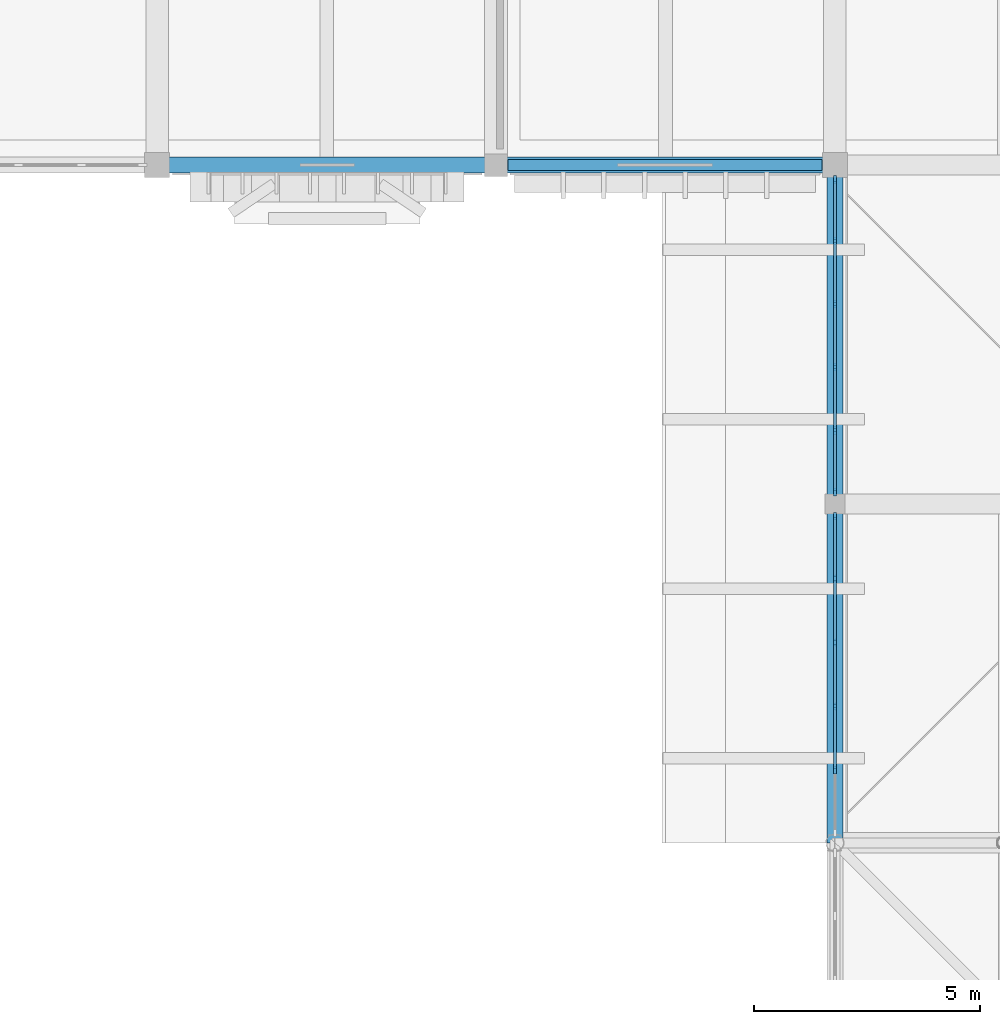
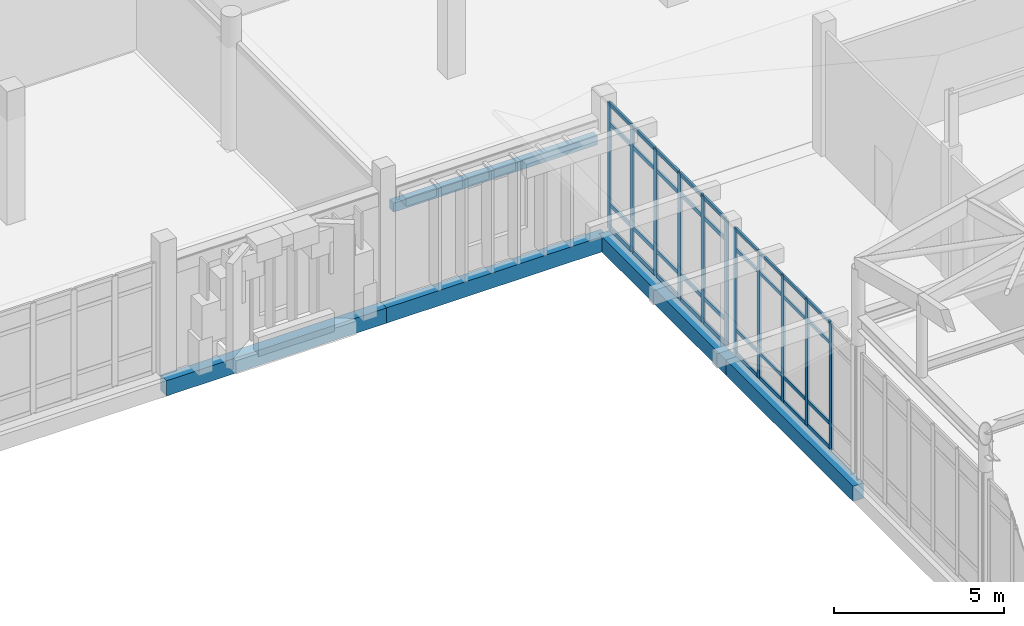
# One storey, part 54 of 131: 47 members, 5 beams, 2 elements without a shape of their own.
"""IFC4 building model written with IfcOpenShell, lengths in metres."""

from ifc_helpers import new_model, si_unit, direction, frame, origin, origin_2d, place, context, subcontext, project, spatial, rectangle, extrude, material, layer, layer_set, material_profile, profile_set, type_object, element, aggregate, save


model = new_model("IFC4")

# Units and contexts
model_context = context("Model", 3, precision=1e-05, world=origin(), true_north=direction((0.0, 1.0)))
body_context = subcontext(model_context, "Body", "Model", "MODEL_VIEW")
ifc_project = project(units=[si_unit("LENGTHUNIT", "METRE"), si_unit("AREAUNIT", "SQUARE_METRE"), si_unit("VOLUMEUNIT", "CUBIC_METRE"), si_unit("PLANEANGLEUNIT", "RADIAN"), si_unit("MASSUNIT", "GRAM", prefix="KILO")], contexts=[model_context])

# Site, building, storey
site_placement = place(None, origin())
site = spatial("IfcSite", under=ifc_project, at=site_placement, CompositionType="ELEMENT")
building_placement = place(site_placement, origin())
building = spatial("IfcBuilding", under=site, at=building_placement, Name="Dalvernix Boulevard General Hospital", CompositionType="ELEMENT")
storey_placement = place(building_placement, frame((0.0, 0.0, 9.300048828125)))
storey = spatial("IfcBuildingStorey", under=building, at=storey_placement, Name="L02", CompositionType="ELEMENT", Elevation=9.300048828125)

# Beams
ifc_material_1 = material(Name="Precast concrete C40/50", Category="concrete")
ifc_material_profile_1 = material_profile(ifc_material_1, rectangle(XDim=0.25, YDim=0.320068359375, at=origin_2d()), Name="RCL 250x320")
ifc_profile_set_1 = profile_set([ifc_material_profile_1], Name="Precast concrete C40/50")
beam_type_1 = type_object("IfcBeamType", Name="BM-LB-01", PredefinedType="LINTEL", material=ifc_profile_set_1)
beam_placement = place(storey_placement, frame((59.715087890625, 76.5, 3.159912109375), z_axis=(-1.0, 0.0, 0.0), x_axis=(0.0, -1.0, 0.0)))
element("IfcBeam", 1, at=beam_placement, inside=storey, type_object=beam_type_1, Name="L02 precast window lintel S 7-10", PredefinedType="LINTEL", context=body_context, shape_type="SweptSolid", body=[
    extrude(rectangle(XDim=0.25, YDim=0.320068359375, at=origin_2d()), origin(), (0.0, 0.0, 1.0), 6.955078125),
])
ifc_material_2 = material(Name="Concrete C35/45", Category="concrete")
ifc_material_profile_2 = material_profile(ifc_material_2, rectangle(XDim=0.35009765625, YDim=0.550048828125, at=origin_2d()), Name="RCB 350x550")
ifc_profile_set_2 = profile_set([ifc_material_profile_2], Name="Concrete C35/45")
beam_type_2 = type_object("IfcBeamType", Name="BM-SB-01-E", PredefinedType="SPANDREL", material=ifc_profile_set_2)
for number, where, z_axis, x_axis, name in (
    (2, (45.0, 76.5, -0.594970703125), (1.0, 0.0, 0.0), (0.0, 1.0, 0.0), "L02 E-W girder L:7-8"),
    (3, (52.5, 76.5, -0.594970703125), (1.0, 0.0, 0.0), (0.0, 1.0, 0.0), "L02 E-W girder L:8-9"),
    (4, (60.0, 61.5, -0.594970703125), (0.0, 1.0, 0.0), (-1.0, 0.0, 0.0), "L02 N-S girder 9:J-K"),
    (5, (60.0, 69.0, -0.594970703125), (0.0, 1.0, 0.0), (-1.0, 0.0, 0.0), "L02 N-S girder 9:K-L"),
):
    element("IfcBeam", number, at=place(storey_placement, frame(where, z_axis=z_axis, x_axis=x_axis)), inside=storey, type_object=beam_type_2, Name=name, PredefinedType="SPANDREL", context=body_context, shape_type="SweptSolid", body=[
        extrude(rectangle(XDim=0.35009765625, YDim=0.550048828125, at=origin_2d()), origin(), (0.0, 0.0, 1.0), 7.5),
    ])

# Curtain wall, members
ifc_material_3 = material(Name="Thermally broken aluminium and solar-control glass curtain wall", Category="aluminium")
ifc_layer_1 = layer(ifc_material_3, 0.159912109375)
ifc_layer_set_1 = layer_set([ifc_layer_1], Name="Thermally broken aluminium and solar-control glass curtain wall (CW-CW-A-71x46)")
curtain_wall_type_1 = type_object("IfcCurtainWallType", Name="CW-CW-A-71x46", PredefinedType="USERDEFINED", material=ifc_layer_set_1)
curtain_wall_1_placement = place(storey_placement, origin())
curtain_wall_1 = element("IfcCurtainWall", 6, at=curtain_wall_1_placement, inside=storey, type_object=curtain_wall_type_1, Name="L02 curtain wall CW-A-71x46 8-8", ObjectType="GLAZED FACADE", PredefinedType="USERDEFINED")
ifc_material_4 = material(Name="Aluminium EN AW-6060", Category="aluminium")
ifc_material_profile_3 = material_profile(ifc_material_4, rectangle(XDim=0.06005859375, YDim=0.159912109375, at=origin_2d()), Name="ALU MULL 60x160")
ifc_profile_set_3 = profile_set([ifc_material_profile_3], Name="Aluminium EN AW-6060")
member_type_1 = type_object("IfcMemberType", Name="MEM-CW-M1", PredefinedType="MULLION", material=ifc_profile_set_3)
member_1_placement = place(storey_placement, frame((60.0, 63.10498046875, 0.0), z_axis=(0.0, 0.0, 1.0), x_axis=(-1.0, 0.0, 0.0)))
member_1 = element("IfcMember", 7, at=member_1_placement, type_object=member_type_1, Name="CW-A-71x46 mullion 2", PredefinedType="MULLION", context=body_context, shape_type="SweptSolid", body=[
    extrude(rectangle(XDim=0.06005859375, YDim=0.159912109375, at=origin_2d()), origin(), (0.0, 0.0, 1.0), 4.550048828125),
])
member_2_placement = place(storey_placement, frame((60.0, 64.52001953125, 0.0), z_axis=(0.0, 0.0, 1.0), x_axis=(-1.0, 0.0, 0.0)))
member_2 = element("IfcMember", 8, at=member_2_placement, type_object=member_type_1, Name="CW-A-71x46 mullion 3", PredefinedType="MULLION", context=body_context, shape_type="SweptSolid", body=[
    extrude(rectangle(XDim=0.06005859375, YDim=0.159912109375, at=origin_2d()), origin(), (0.0, 0.0, 1.0), 4.550048828125),
])
member_3_placement = place(storey_placement, frame((60.0, 65.93505859375, 0.0), z_axis=(0.0, 0.0, 1.0), x_axis=(-1.0, 0.0, 0.0)))
member_3 = element("IfcMember", 9, at=member_3_placement, type_object=member_type_1, Name="CW-A-71x46 mullion 4", PredefinedType="MULLION", context=body_context, shape_type="SweptSolid", body=[
    extrude(rectangle(XDim=0.06005859375, YDim=0.159912109375, at=origin_2d()), origin(), (0.0, 0.0, 1.0), 4.550048828125),
])
member_4_placement = place(storey_placement, frame((60.0, 67.35009765625, 0.0), z_axis=(0.0, 0.0, 1.0), x_axis=(-1.0, 0.0, 0.0)))
member_4 = element("IfcMember", 10, at=member_4_placement, type_object=member_type_1, Name="CW-A-71x46 mullion 5", PredefinedType="MULLION", context=body_context, shape_type="SweptSolid", body=[
    extrude(rectangle(XDim=0.06005859375, YDim=0.159912109375, at=origin_2d()), origin(), (0.0, 0.0, 1.0), 4.550048828125),
])
member_5_placement = place(storey_placement, frame((60.0, 68.735107421875, 0.0), z_axis=(0.0, 0.0, 1.0), x_axis=(-1.0, 0.0, 0.0)))
member_5 = element("IfcMember", 11, at=member_5_placement, type_object=member_type_1, Name="CW-A-71x46 mullion 6", PredefinedType="MULLION", context=body_context, shape_type="SweptSolid", body=[
    extrude(rectangle(XDim=0.06005859375, YDim=0.159912109375, at=origin_2d()), origin(), (0.0, 0.0, 1.0), 4.550048828125),
])

ifc_layer_2 = layer(ifc_material_3, 0.179931640625)
ifc_layer_set_2 = layer_set([ifc_layer_2], Name="Thermally broken aluminium and solar-control glass curtain wall (CW-CW-B-70x46)")
curtain_wall_type_2 = type_object("IfcCurtainWallType", Name="CW-CW-B-70x46", PredefinedType="USERDEFINED", material=ifc_layer_set_2)
curtain_wall_2_placement = place(storey_placement, origin())
curtain_wall_2 = element("IfcCurtainWall", 12, at=curtain_wall_2_placement, inside=storey, type_object=curtain_wall_type_2, Name="L02 curtain wall CW-B-70x46 8-9", ObjectType="GLAZED FACADE", PredefinedType="USERDEFINED")
ifc_material_profile_4 = material_profile(ifc_material_4, rectangle(XDim=0.06494140625, YDim=0.179931640625, at=origin_2d()), Name="ALU MULL 65x180")
ifc_profile_set_4 = profile_set([ifc_material_profile_4], Name="Aluminium EN AW-6060")
member_type_2 = type_object("IfcMemberType", Name="MEM-CW-M2", PredefinedType="MULLION", material=ifc_profile_set_4)
member_6_placement = place(storey_placement, frame((60.0, 69.267578125, 0.0), z_axis=(0.0, 0.0, 1.0), x_axis=(-1.0, 0.0, 0.0)))
member_6 = element("IfcMember", 13, at=member_6_placement, type_object=member_type_2, Name="CW-B-70x46 mullion 1", PredefinedType="MULLION", context=body_context, shape_type="SweptSolid", body=[
    extrude(rectangle(XDim=0.06494140625, YDim=0.179931640625, at=origin_2d()), origin(), (0.0, 0.0, 1.0), 4.550048828125),
])
member_7_placement = place(storey_placement, frame((60.0, 70.631103515625, 0.0), z_axis=(0.0, 0.0, 1.0), x_axis=(-1.0, 0.0, 0.0)))
member_7 = element("IfcMember", 14, at=member_7_placement, type_object=member_type_2, Name="CW-B-70x46 mullion 2", PredefinedType="MULLION", context=body_context, shape_type="SweptSolid", body=[
    extrude(rectangle(XDim=0.06494140625, YDim=0.179931640625, at=origin_2d()), origin(), (0.0, 0.0, 1.0), 4.550048828125),
])
member_8_placement = place(storey_placement, frame((60.0, 72.027099609375, 0.0), z_axis=(0.0, 0.0, 1.0), x_axis=(-1.0, 0.0, 0.0)))
member_8 = element("IfcMember", 15, at=member_8_placement, type_object=member_type_2, Name="CW-B-70x46 mullion 3", PredefinedType="MULLION", context=body_context, shape_type="SweptSolid", body=[
    extrude(rectangle(XDim=0.06494140625, YDim=0.179931640625, at=origin_2d()), origin(), (0.0, 0.0, 1.0), 4.550048828125),
])
member_9_placement = place(storey_placement, frame((60.0, 73.423095703125, 0.0), z_axis=(0.0, 0.0, 1.0), x_axis=(-1.0, 0.0, 0.0)))
member_9 = element("IfcMember", 16, at=member_9_placement, type_object=member_type_2, Name="CW-B-70x46 mullion 4", PredefinedType="MULLION", context=body_context, shape_type="SweptSolid", body=[
    extrude(rectangle(XDim=0.06494140625, YDim=0.179931640625, at=origin_2d()), origin(), (0.0, 0.0, 1.0), 4.550048828125),
])
member_10_placement = place(storey_placement, frame((60.0, 74.819091796875, 0.0), z_axis=(0.0, 0.0, 1.0), x_axis=(-1.0, 0.0, 0.0)))
member_10 = element("IfcMember", 17, at=member_10_placement, type_object=member_type_2, Name="CW-B-70x46 mullion 5", PredefinedType="MULLION", context=body_context, shape_type="SweptSolid", body=[
    extrude(rectangle(XDim=0.06494140625, YDim=0.179931640625, at=origin_2d()), origin(), (0.0, 0.0, 1.0), 4.550048828125),
])
member_11_placement = place(storey_placement, frame((60.0, 76.1826171875, 0.0), z_axis=(0.0, 0.0, 1.0), x_axis=(-1.0, 0.0, 0.0)))
member_11 = element("IfcMember", 18, at=member_11_placement, type_object=member_type_2, Name="CW-B-70x46 mullion 6", PredefinedType="MULLION", context=body_context, shape_type="SweptSolid", body=[
    extrude(rectangle(XDim=0.06494140625, YDim=0.179931640625, at=origin_2d()), origin(), (0.0, 0.0, 1.0), 4.550048828125),
])

# Member
ifc_material_profile_5 = material_profile(ifc_material_4, rectangle(XDim=0.06005859375, YDim=0.1201171875, at=origin_2d()), Name="ALU TRAN 60x120")
ifc_profile_set_5 = profile_set([ifc_material_profile_5], Name="Aluminium EN AW-6060")
member_type_3 = type_object("IfcMemberType", Name="MEM-CW-T1", PredefinedType="USERDEFINED", material=ifc_profile_set_5)
member_12_placement = place(storey_placement, frame((60.0, 63.135009765625, 0.030029296875), z_axis=(0.0, 1.0, 0.0), x_axis=(-1.0, 0.0, 0.0)))
member_12 = element("IfcMember", 19, at=member_12_placement, type_object=member_type_3, Name="CW-A-71x46 transom 2.1", ObjectType="TRANSOM", PredefinedType="USERDEFINED", context=body_context, shape_type="SweptSolid", body=[
    extrude(rectangle(XDim=0.06005859375, YDim=0.1201171875, at=origin_2d()), origin(), (0.0, 0.0, 1.0), 1.35498046875),
])

member_13_placement = place(storey_placement, frame((60.0, 63.135009765625, 0.89990234375), z_axis=(0.0, 1.0, 0.0), x_axis=(-1.0, 0.0, 0.0)))
member_13 = element("IfcMember", 20, at=member_13_placement, type_object=member_type_3, Name="CW-A-71x46 transom 2.2", ObjectType="TRANSOM", PredefinedType="USERDEFINED", context=body_context, shape_type="SweptSolid", body=[
    extrude(rectangle(XDim=0.06005859375, YDim=0.1201171875, at=origin_2d()), origin(), (0.0, 0.0, 1.0), 1.35498046875),
])

member_14_placement = place(storey_placement, frame((60.0, 63.135009765625, 3.800048828125), z_axis=(0.0, 1.0, 0.0), x_axis=(-1.0, 0.0, 0.0)))
member_14 = element("IfcMember", 21, at=member_14_placement, type_object=member_type_3, Name="CW-A-71x46 transom 2.3", ObjectType="TRANSOM", PredefinedType="USERDEFINED", context=body_context, shape_type="SweptSolid", body=[
    extrude(rectangle(XDim=0.06005859375, YDim=0.1201171875, at=origin_2d()), origin(), (0.0, 0.0, 1.0), 1.35498046875),
])

member_15_placement = place(storey_placement, frame((60.0, 63.135009765625, 4.52001953125), z_axis=(0.0, 1.0, 0.0), x_axis=(-1.0, 0.0, 0.0)))
member_15 = element("IfcMember", 22, at=member_15_placement, type_object=member_type_3, Name="CW-A-71x46 transom 2.4", ObjectType="TRANSOM", PredefinedType="USERDEFINED", context=body_context, shape_type="SweptSolid", body=[
    extrude(rectangle(XDim=0.06005859375, YDim=0.1201171875, at=origin_2d()), origin(), (0.0, 0.0, 1.0), 1.35498046875),
])

member_16_placement = place(storey_placement, frame((60.0, 64.550048828125, 0.030029296875), z_axis=(0.0, 1.0, 0.0), x_axis=(-1.0, 0.0, 0.0)))
member_16 = element("IfcMember", 23, at=member_16_placement, type_object=member_type_3, Name="CW-A-71x46 transom 3.1", ObjectType="TRANSOM", PredefinedType="USERDEFINED", context=body_context, shape_type="SweptSolid", body=[
    extrude(rectangle(XDim=0.06005859375, YDim=0.1201171875, at=origin_2d()), origin(), (0.0, 0.0, 1.0), 1.35498046875),
])

member_17_placement = place(storey_placement, frame((60.0, 64.550048828125, 0.89990234375), z_axis=(0.0, 1.0, 0.0), x_axis=(-1.0, 0.0, 0.0)))
member_17 = element("IfcMember", 24, at=member_17_placement, type_object=member_type_3, Name="CW-A-71x46 transom 3.2", ObjectType="TRANSOM", PredefinedType="USERDEFINED", context=body_context, shape_type="SweptSolid", body=[
    extrude(rectangle(XDim=0.06005859375, YDim=0.1201171875, at=origin_2d()), origin(), (0.0, 0.0, 1.0), 1.35498046875),
])

member_18_placement = place(storey_placement, frame((60.0, 64.550048828125, 3.800048828125), z_axis=(0.0, 1.0, 0.0), x_axis=(-1.0, 0.0, 0.0)))
member_18 = element("IfcMember", 25, at=member_18_placement, type_object=member_type_3, Name="CW-A-71x46 transom 3.3", ObjectType="TRANSOM", PredefinedType="USERDEFINED", context=body_context, shape_type="SweptSolid", body=[
    extrude(rectangle(XDim=0.06005859375, YDim=0.1201171875, at=origin_2d()), origin(), (0.0, 0.0, 1.0), 1.35498046875),
])

member_19_placement = place(storey_placement, frame((60.0, 64.550048828125, 4.52001953125), z_axis=(0.0, 1.0, 0.0), x_axis=(-1.0, 0.0, 0.0)))
member_19 = element("IfcMember", 26, at=member_19_placement, type_object=member_type_3, Name="CW-A-71x46 transom 3.4", ObjectType="TRANSOM", PredefinedType="USERDEFINED", context=body_context, shape_type="SweptSolid", body=[
    extrude(rectangle(XDim=0.06005859375, YDim=0.1201171875, at=origin_2d()), origin(), (0.0, 0.0, 1.0), 1.35498046875),
])

member_20_placement = place(storey_placement, frame((60.0, 65.965087890625, 0.030029296875), z_axis=(0.0, 1.0, 0.0), x_axis=(-1.0, 0.0, 0.0)))
member_20 = element("IfcMember", 27, at=member_20_placement, type_object=member_type_3, Name="CW-A-71x46 transom 4.1", ObjectType="TRANSOM", PredefinedType="USERDEFINED", context=body_context, shape_type="SweptSolid", body=[
    extrude(rectangle(XDim=0.06005859375, YDim=0.1201171875, at=origin_2d()), origin(), (0.0, 0.0, 1.0), 1.35498046875),
])

member_21_placement = place(storey_placement, frame((60.0, 65.965087890625, 0.89990234375), z_axis=(0.0, 1.0, 0.0), x_axis=(-1.0, 0.0, 0.0)))
member_21 = element("IfcMember", 28, at=member_21_placement, type_object=member_type_3, Name="CW-A-71x46 transom 4.2", ObjectType="TRANSOM", PredefinedType="USERDEFINED", context=body_context, shape_type="SweptSolid", body=[
    extrude(rectangle(XDim=0.06005859375, YDim=0.1201171875, at=origin_2d()), origin(), (0.0, 0.0, 1.0), 1.35498046875),
])

member_22_placement = place(storey_placement, frame((60.0, 65.965087890625, 3.800048828125), z_axis=(0.0, 1.0, 0.0), x_axis=(-1.0, 0.0, 0.0)))
member_22 = element("IfcMember", 29, at=member_22_placement, type_object=member_type_3, Name="CW-A-71x46 transom 4.3", ObjectType="TRANSOM", PredefinedType="USERDEFINED", context=body_context, shape_type="SweptSolid", body=[
    extrude(rectangle(XDim=0.06005859375, YDim=0.1201171875, at=origin_2d()), origin(), (0.0, 0.0, 1.0), 1.35498046875),
])

member_23_placement = place(storey_placement, frame((60.0, 65.965087890625, 4.52001953125), z_axis=(0.0, 1.0, 0.0), x_axis=(-1.0, 0.0, 0.0)))
member_23 = element("IfcMember", 30, at=member_23_placement, type_object=member_type_3, Name="CW-A-71x46 transom 4.4", ObjectType="TRANSOM", PredefinedType="USERDEFINED", context=body_context, shape_type="SweptSolid", body=[
    extrude(rectangle(XDim=0.06005859375, YDim=0.1201171875, at=origin_2d()), origin(), (0.0, 0.0, 1.0), 1.35498046875),
])

member_24_placement = place(storey_placement, frame((60.0, 67.3798828125, 0.030029296875), z_axis=(0.0, 1.0, 0.0), x_axis=(-1.0, 0.0, 0.0)))
member_24 = element("IfcMember", 31, at=member_24_placement, type_object=member_type_3, Name="CW-A-71x46 transom 5.1", ObjectType="TRANSOM", PredefinedType="USERDEFINED", context=body_context, shape_type="SweptSolid", body=[
    extrude(rectangle(XDim=0.06005859375, YDim=0.1201171875, at=origin_2d()), origin(), (0.0, 0.0, 1.0), 1.3251953125),
])

member_25_placement = place(storey_placement, frame((60.0, 67.3798828125, 0.89990234375), z_axis=(0.0, 1.0, 0.0), x_axis=(-1.0, 0.0, 0.0)))
member_25 = element("IfcMember", 32, at=member_25_placement, type_object=member_type_3, Name="CW-A-71x46 transom 5.2", ObjectType="TRANSOM", PredefinedType="USERDEFINED", context=body_context, shape_type="SweptSolid", body=[
    extrude(rectangle(XDim=0.06005859375, YDim=0.1201171875, at=origin_2d()), origin(), (0.0, 0.0, 1.0), 1.3251953125),
])

member_26_placement = place(storey_placement, frame((60.0, 67.3798828125, 3.800048828125), z_axis=(0.0, 1.0, 0.0), x_axis=(-1.0, 0.0, 0.0)))
member_26 = element("IfcMember", 33, at=member_26_placement, type_object=member_type_3, Name="CW-A-71x46 transom 5.3", ObjectType="TRANSOM", PredefinedType="USERDEFINED", context=body_context, shape_type="SweptSolid", body=[
    extrude(rectangle(XDim=0.06005859375, YDim=0.1201171875, at=origin_2d()), origin(), (0.0, 0.0, 1.0), 1.3251953125),
])

member_27_placement = place(storey_placement, frame((60.0, 67.3798828125, 4.52001953125), z_axis=(0.0, 1.0, 0.0), x_axis=(-1.0, 0.0, 0.0)))
member_27 = element("IfcMember", 34, at=member_27_placement, type_object=member_type_3, Name="CW-A-71x46 transom 5.4", ObjectType="TRANSOM", PredefinedType="USERDEFINED", context=body_context, shape_type="SweptSolid", body=[
    extrude(rectangle(XDim=0.06005859375, YDim=0.1201171875, at=origin_2d()), origin(), (0.0, 0.0, 1.0), 1.3251953125),
])

aggregate(curtain_wall_1, [member_1, member_2, member_3, member_4, member_5, member_12, member_13, member_14, member_15, member_16, member_17, member_18, member_19, member_20, member_21, member_22, member_23, member_24, member_25, member_26, member_27])

ifc_material_profile_6 = material_profile(ifc_material_4, rectangle(XDim=0.06494140625, YDim=0.139892578125, at=origin_2d()), Name="ALU TRAN 65x140")
ifc_profile_set_6 = profile_set([ifc_material_profile_6], Name="Aluminium EN AW-6060")
member_type_4 = type_object("IfcMemberType", Name="MEM-CW-T2", PredefinedType="USERDEFINED", material=ifc_profile_set_6)
member_28_placement = place(storey_placement, frame((60.0, 69.300048828125, 0.032470703125), z_axis=(0.0, 1.0, 0.0), x_axis=(-1.0, 0.0, 0.0)))
member_28 = element("IfcMember", 35, at=member_28_placement, type_object=member_type_4, Name="CW-B-70x46 transom 1.1", ObjectType="TRANSOM", PredefinedType="USERDEFINED", context=body_context, shape_type="SweptSolid", body=[
    extrude(rectangle(XDim=0.06494140625, YDim=0.139892578125, at=origin_2d()), origin(), (0.0, 0.0, 1.0), 1.29833984375),
])

member_29_placement = place(storey_placement, frame((60.0, 69.300048828125, 0.89990234375), z_axis=(0.0, 1.0, 0.0), x_axis=(-1.0, 0.0, 0.0)))
member_29 = element("IfcMember", 36, at=member_29_placement, type_object=member_type_4, Name="CW-B-70x46 transom 1.2", ObjectType="TRANSOM", PredefinedType="USERDEFINED", context=body_context, shape_type="SweptSolid", body=[
    extrude(rectangle(XDim=0.06494140625, YDim=0.139892578125, at=origin_2d()), origin(), (0.0, 0.0, 1.0), 1.29833984375),
])

member_30_placement = place(storey_placement, frame((60.0, 69.300048828125, 3.800048828125), z_axis=(0.0, 1.0, 0.0), x_axis=(-1.0, 0.0, 0.0)))
member_30 = element("IfcMember", 37, at=member_30_placement, type_object=member_type_4, Name="CW-B-70x46 transom 1.3", ObjectType="TRANSOM", PredefinedType="USERDEFINED", context=body_context, shape_type="SweptSolid", body=[
    extrude(rectangle(XDim=0.06494140625, YDim=0.139892578125, at=origin_2d()), origin(), (0.0, 0.0, 1.0), 1.29833984375),
])

member_31_placement = place(storey_placement, frame((60.0, 69.300048828125, 4.517333984375), z_axis=(0.0, 1.0, 0.0), x_axis=(-1.0, 0.0, 0.0)))
member_31 = element("IfcMember", 38, at=member_31_placement, type_object=member_type_4, Name="CW-B-70x46 transom 1.4", ObjectType="TRANSOM", PredefinedType="USERDEFINED", context=body_context, shape_type="SweptSolid", body=[
    extrude(rectangle(XDim=0.06494140625, YDim=0.139892578125, at=origin_2d()), origin(), (0.0, 0.0, 1.0), 1.29833984375),
])

member_32_placement = place(storey_placement, frame((60.0, 70.66357421875, 0.032470703125), z_axis=(0.0, 1.0, 0.0), x_axis=(-1.0, 0.0, 0.0)))
member_32 = element("IfcMember", 39, at=member_32_placement, type_object=member_type_4, Name="CW-B-70x46 transom 2.1", ObjectType="TRANSOM", PredefinedType="USERDEFINED", context=body_context, shape_type="SweptSolid", body=[
    extrude(rectangle(XDim=0.06494140625, YDim=0.139892578125, at=origin_2d()), origin(), (0.0, 0.0, 1.0), 1.330810546875),
])

member_33_placement = place(storey_placement, frame((60.0, 70.66357421875, 0.89990234375), z_axis=(0.0, 1.0, 0.0), x_axis=(-1.0, 0.0, 0.0)))
member_33 = element("IfcMember", 40, at=member_33_placement, type_object=member_type_4, Name="CW-B-70x46 transom 2.2", ObjectType="TRANSOM", PredefinedType="USERDEFINED", context=body_context, shape_type="SweptSolid", body=[
    extrude(rectangle(XDim=0.06494140625, YDim=0.139892578125, at=origin_2d()), origin(), (0.0, 0.0, 1.0), 1.330810546875),
])

member_34_placement = place(storey_placement, frame((60.0, 70.66357421875, 3.800048828125), z_axis=(0.0, 1.0, 0.0), x_axis=(-1.0, 0.0, 0.0)))
member_34 = element("IfcMember", 41, at=member_34_placement, type_object=member_type_4, Name="CW-B-70x46 transom 2.3", ObjectType="TRANSOM", PredefinedType="USERDEFINED", context=body_context, shape_type="SweptSolid", body=[
    extrude(rectangle(XDim=0.06494140625, YDim=0.139892578125, at=origin_2d()), origin(), (0.0, 0.0, 1.0), 1.330810546875),
])

member_35_placement = place(storey_placement, frame((60.0, 70.66357421875, 4.517333984375), z_axis=(0.0, 1.0, 0.0), x_axis=(-1.0, 0.0, 0.0)))
member_35 = element("IfcMember", 42, at=member_35_placement, type_object=member_type_4, Name="CW-B-70x46 transom 2.4", ObjectType="TRANSOM", PredefinedType="USERDEFINED", context=body_context, shape_type="SweptSolid", body=[
    extrude(rectangle(XDim=0.06494140625, YDim=0.139892578125, at=origin_2d()), origin(), (0.0, 0.0, 1.0), 1.330810546875),
])

member_36_placement = place(storey_placement, frame((60.0, 72.0595703125, 0.032470703125), z_axis=(0.0, 1.0, 0.0), x_axis=(-1.0, 0.0, 0.0)))
member_36 = element("IfcMember", 43, at=member_36_placement, type_object=member_type_4, Name="CW-B-70x46 transom 3.1", ObjectType="TRANSOM", PredefinedType="USERDEFINED", context=body_context, shape_type="SweptSolid", body=[
    extrude(rectangle(XDim=0.06494140625, YDim=0.139892578125, at=origin_2d()), origin(), (0.0, 0.0, 1.0), 1.330810546875),
])

member_37_placement = place(storey_placement, frame((60.0, 72.0595703125, 0.89990234375), z_axis=(0.0, 1.0, 0.0), x_axis=(-1.0, 0.0, 0.0)))
member_37 = element("IfcMember", 44, at=member_37_placement, type_object=member_type_4, Name="CW-B-70x46 transom 3.2", ObjectType="TRANSOM", PredefinedType="USERDEFINED", context=body_context, shape_type="SweptSolid", body=[
    extrude(rectangle(XDim=0.06494140625, YDim=0.139892578125, at=origin_2d()), origin(), (0.0, 0.0, 1.0), 1.330810546875),
])

member_38_placement = place(storey_placement, frame((60.0, 72.0595703125, 3.800048828125), z_axis=(0.0, 1.0, 0.0), x_axis=(-1.0, 0.0, 0.0)))
member_38 = element("IfcMember", 45, at=member_38_placement, type_object=member_type_4, Name="CW-B-70x46 transom 3.3", ObjectType="TRANSOM", PredefinedType="USERDEFINED", context=body_context, shape_type="SweptSolid", body=[
    extrude(rectangle(XDim=0.06494140625, YDim=0.139892578125, at=origin_2d()), origin(), (0.0, 0.0, 1.0), 1.330810546875),
])

member_39_placement = place(storey_placement, frame((60.0, 72.0595703125, 4.517333984375), z_axis=(0.0, 1.0, 0.0), x_axis=(-1.0, 0.0, 0.0)))
member_39 = element("IfcMember", 46, at=member_39_placement, type_object=member_type_4, Name="CW-B-70x46 transom 3.4", ObjectType="TRANSOM", PredefinedType="USERDEFINED", context=body_context, shape_type="SweptSolid", body=[
    extrude(rectangle(XDim=0.06494140625, YDim=0.139892578125, at=origin_2d()), origin(), (0.0, 0.0, 1.0), 1.330810546875),
])

member_40_placement = place(storey_placement, frame((60.0, 73.45556640625, 0.032470703125), z_axis=(0.0, 1.0, 0.0), x_axis=(-1.0, 0.0, 0.0)))
member_40 = element("IfcMember", 47, at=member_40_placement, type_object=member_type_4, Name="CW-B-70x46 transom 4.1", ObjectType="TRANSOM", PredefinedType="USERDEFINED", context=body_context, shape_type="SweptSolid", body=[
    extrude(rectangle(XDim=0.06494140625, YDim=0.139892578125, at=origin_2d()), origin(), (0.0, 0.0, 1.0), 1.3310546875),
])

member_41_placement = place(storey_placement, frame((60.0, 73.45556640625, 0.89990234375), z_axis=(0.0, 1.0, 0.0), x_axis=(-1.0, 0.0, 0.0)))
member_41 = element("IfcMember", 48, at=member_41_placement, type_object=member_type_4, Name="CW-B-70x46 transom 4.2", ObjectType="TRANSOM", PredefinedType="USERDEFINED", context=body_context, shape_type="SweptSolid", body=[
    extrude(rectangle(XDim=0.06494140625, YDim=0.139892578125, at=origin_2d()), origin(), (0.0, 0.0, 1.0), 1.3310546875),
])

member_42_placement = place(storey_placement, frame((60.0, 73.45556640625, 3.800048828125), z_axis=(0.0, 1.0, 0.0), x_axis=(-1.0, 0.0, 0.0)))
member_42 = element("IfcMember", 49, at=member_42_placement, type_object=member_type_4, Name="CW-B-70x46 transom 4.3", ObjectType="TRANSOM", PredefinedType="USERDEFINED", context=body_context, shape_type="SweptSolid", body=[
    extrude(rectangle(XDim=0.06494140625, YDim=0.139892578125, at=origin_2d()), origin(), (0.0, 0.0, 1.0), 1.3310546875),
])

member_43_placement = place(storey_placement, frame((60.0, 73.45556640625, 4.517333984375), z_axis=(0.0, 1.0, 0.0), x_axis=(-1.0, 0.0, 0.0)))
member_43 = element("IfcMember", 50, at=member_43_placement, type_object=member_type_4, Name="CW-B-70x46 transom 4.4", ObjectType="TRANSOM", PredefinedType="USERDEFINED", context=body_context, shape_type="SweptSolid", body=[
    extrude(rectangle(XDim=0.06494140625, YDim=0.139892578125, at=origin_2d()), origin(), (0.0, 0.0, 1.0), 1.3310546875),
])

member_44_placement = place(storey_placement, frame((60.0, 74.8515625, 0.032470703125), z_axis=(0.0, 1.0, 0.0), x_axis=(-1.0, 0.0, 0.0)))
member_44 = element("IfcMember", 51, at=member_44_placement, type_object=member_type_4, Name="CW-B-70x46 transom 5.1", ObjectType="TRANSOM", PredefinedType="USERDEFINED", context=body_context, shape_type="SweptSolid", body=[
    extrude(rectangle(XDim=0.06494140625, YDim=0.139892578125, at=origin_2d()), origin(), (0.0, 0.0, 1.0), 1.29833984375),
])

member_45_placement = place(storey_placement, frame((60.0, 74.8515625, 0.89990234375), z_axis=(0.0, 1.0, 0.0), x_axis=(-1.0, 0.0, 0.0)))
member_45 = element("IfcMember", 52, at=member_45_placement, type_object=member_type_4, Name="CW-B-70x46 transom 5.2", ObjectType="TRANSOM", PredefinedType="USERDEFINED", context=body_context, shape_type="SweptSolid", body=[
    extrude(rectangle(XDim=0.06494140625, YDim=0.139892578125, at=origin_2d()), origin(), (0.0, 0.0, 1.0), 1.29833984375),
])

member_46_placement = place(storey_placement, frame((60.0, 74.8515625, 3.800048828125), z_axis=(0.0, 1.0, 0.0), x_axis=(-1.0, 0.0, 0.0)))
member_46 = element("IfcMember", 53, at=member_46_placement, type_object=member_type_4, Name="CW-B-70x46 transom 5.3", ObjectType="TRANSOM", PredefinedType="USERDEFINED", context=body_context, shape_type="SweptSolid", body=[
    extrude(rectangle(XDim=0.06494140625, YDim=0.139892578125, at=origin_2d()), origin(), (0.0, 0.0, 1.0), 1.29833984375),
])

member_47_placement = place(storey_placement, frame((60.0, 74.8515625, 4.517333984375), z_axis=(0.0, 1.0, 0.0), x_axis=(-1.0, 0.0, 0.0)))
member_47 = element("IfcMember", 54, at=member_47_placement, type_object=member_type_4, Name="CW-B-70x46 transom 5.4", ObjectType="TRANSOM", PredefinedType="USERDEFINED", context=body_context, shape_type="SweptSolid", body=[
    extrude(rectangle(XDim=0.06494140625, YDim=0.139892578125, at=origin_2d()), origin(), (0.0, 0.0, 1.0), 1.29833984375),
])

aggregate(curtain_wall_2, [member_6, member_7, member_8, member_9, member_10, member_11, member_28, member_29, member_30, member_31, member_32, member_33, member_34, member_35, member_36, member_37, member_38, member_39, member_40, member_41, member_42, member_43, member_44, member_45, member_46, member_47])

save(model, "model.ifc")
